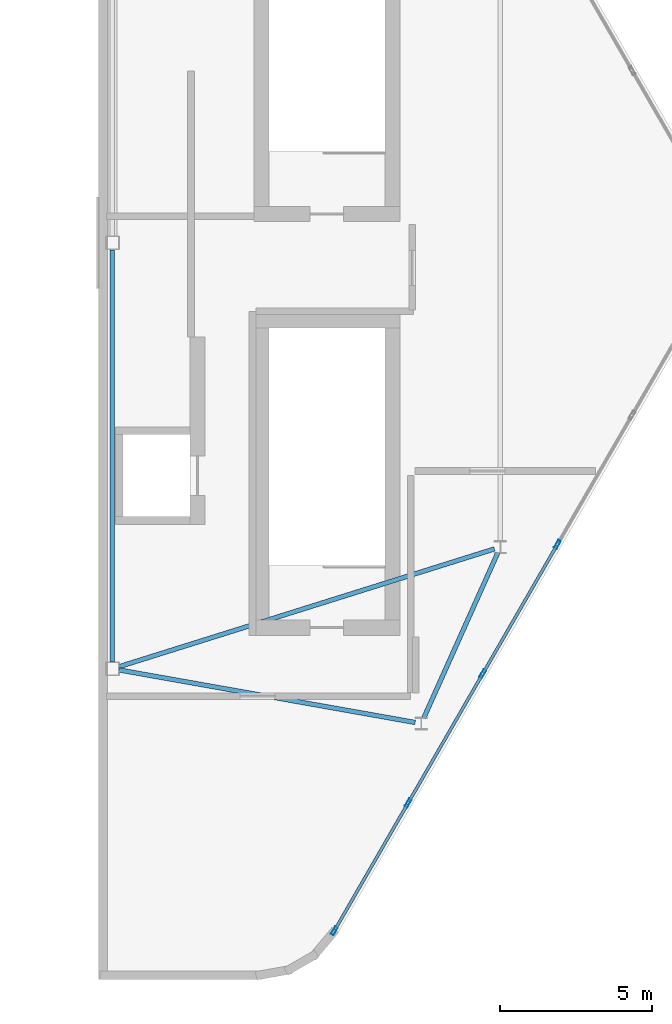
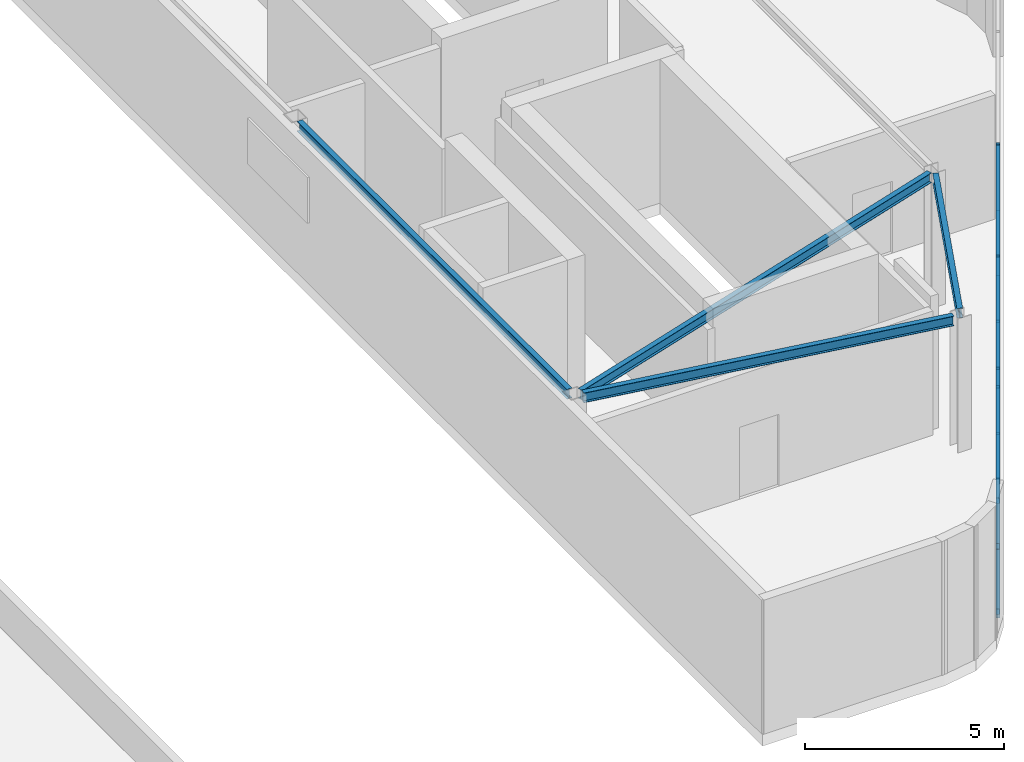
# One storey, part 2 of 8: 13 members, 4 beams, 1 element without a shape of its own.
"""IFC4 building model written with IfcOpenShell, lengths in metres."""

from ifc_helpers import new_model, si_unit, direction, frame, origin, origin_2d, place, context, subcontext, project, spatial, hollow_rectangle, i_section, extrude, material, material_profile, profile_set, type_object, element, aggregate, save


model = new_model("IFC4")

# Units and contexts
model_context = context("Model", 3, precision=1e-05, world=origin(), true_north=direction((0.0, 1.0)))
body_context = subcontext(model_context, "Body", "Model", "MODEL_VIEW")
ifc_project = project(units=[si_unit("LENGTHUNIT", "METRE"), si_unit("AREAUNIT", "SQUARE_METRE"), si_unit("VOLUMEUNIT", "CUBIC_METRE"), si_unit("PLANEANGLEUNIT", "RADIAN"), si_unit("MASSUNIT", "GRAM", prefix="KILO")], contexts=[model_context])

# Site, building, storey
site_placement = place(None, origin())
site = spatial("IfcSite", under=ifc_project, at=site_placement, CompositionType="ELEMENT")
building_placement = place(site_placement, origin())
building = spatial("IfcBuilding", under=site, at=building_placement, Name="Zuhravey Tower", CompositionType="ELEMENT")
storey_placement = place(building_placement, frame((0.0, 0.0, 383.39990234375)))
storey = spatial("IfcBuildingStorey", under=building, at=storey_placement, Name="L97", CompositionType="ELEMENT", Elevation=383.39990234375)

# Beams
ifc_material_1 = material(Name="Steel SM355", Category="steel")
ifc_material_profile_1 = material_profile(ifc_material_1, i_section(OverallWidth=0.14990234375, OverallDepth=0.300048828125, WebThickness=0.007080078125, FlangeThickness=0.010009765625, at=origin_2d()), Name="H-300x150x7x10")
ifc_profile_set_1 = profile_set([ifc_material_profile_1], Name="Steel SM355")
beam_type = type_object("IfcBeamType", Name="Crown Roof Purlin H300x150", PredefinedType="USERDEFINED", material=ifc_profile_set_1)
beam_1_placement = place(storey_placement, frame((56.116455078125, 21.81396484375, 3.9501953125), z_axis=(-0.409053547057, -0.912510381113, 0.0), x_axis=(0.912510381113, -0.409053547057, 0.0)))
element("IfcBeam", 1, at=beam_1_placement, inside=storey, type_object=beam_type, Name="L97 CRP1 BM-L97-ECR-0-2", ObjectType="PURLIN", PredefinedType="USERDEFINED", context=body_context, shape_type="SweptSolid", body=[
    extrude(i_section(OverallWidth=0.14990234375, OverallDepth=0.300048828125, WebThickness=0.007080078125, FlangeThickness=0.010009765625, at=origin_2d()), origin(), (0.0, 0.0, 1.0), 5.9482421875),
])
beam_2_placement = place(storey_placement, frame((53.399169921875, 16.235595703125, 3.9501953125), z_axis=(-0.984637117377, 0.174613135483, 0.0), x_axis=(-0.174613135483, -0.984637117377, 0.0)))
element("IfcBeam", 2, at=beam_2_placement, inside=storey, type_object=beam_type, Name="L97 CRP1 BM-L97-ECR-2-4", ObjectType="PURLIN", PredefinedType="USERDEFINED", context=body_context, shape_type="SweptSolid", body=[
    extrude(i_section(OverallWidth=0.14990234375, OverallDepth=0.300048828125, WebThickness=0.007080078125, FlangeThickness=0.010009765625, at=origin_2d()), origin(), (0.0, 0.0, 1.0), 9.875244140625),
])
beam_3_placement = place(storey_placement, frame((43.449951171875, 18.22900390625, 3.9501953125), z_axis=(0.0, 1.0, 0.0), x_axis=(-1.0, 0.0, 0.0)))
element("IfcBeam", 3, at=beam_3_placement, inside=storey, type_object=beam_type, Name="L97 CRP1 BM-L97-ECR-4-5", ObjectType="PURLIN", PredefinedType="USERDEFINED", context=body_context, shape_type="SweptSolid", body=[
    extrude(i_section(OverallWidth=0.14990234375, OverallDepth=0.300048828125, WebThickness=0.007080078125, FlangeThickness=0.010009765625, at=origin_2d()), origin(), (0.0, 0.0, 1.0), 13.5419921875),
])
beam_4_placement = place(storey_placement, frame((56.00537109375, 21.93896484375, 3.9501953125), z_axis=(-0.954147439285, -0.299337040984, 0.0), x_axis=(0.299337040984, -0.954147439285, 0.0)))
element("IfcBeam", 4, at=beam_4_placement, inside=storey, type_object=beam_type, Name="L97 CRP1 BM-L97-ECR-0-4", ObjectType="PURLIN", PredefinedType="USERDEFINED", context=body_context, shape_type="SweptSolid", body=[
    extrude(i_section(OverallWidth=0.14990234375, OverallDepth=0.300048828125, WebThickness=0.007080078125, FlangeThickness=0.010009765625, at=origin_2d()), origin(), (0.0, 0.0, 1.0), 12.9296875),
])

# Curtain wall, members
ifc_material_2 = material(Name="Thermally broken anodised aluminium", Category="aluminium")
curtain_wall_type = type_object("IfcCurtainWallType", Name="Split-Top Crown Screened Curtain Wall CW6", PredefinedType="NOTDEFINED", material=ifc_material_2)
curtain_wall_placement = place(storey_placement, origin())
curtain_wall = element("IfcCurtainWall", 5, at=curtain_wall_placement, inside=storey, type_object=curtain_wall_type, Name="L97 CW6 CW6-L97-EAST-08", PredefinedType="NOTDEFINED")
ifc_material_3 = material(Name="Anodised aluminium", Category="aluminium")
ifc_material_profile_2 = material_profile(ifc_material_3, hollow_rectangle(XDim=0.10009765625, YDim=0.2900390625, WallThickness=0.006103515625, at=origin_2d()), Name="ALU-RHS-100x290x6")
ifc_profile_set_2 = profile_set([ifc_material_profile_2], Name="Anodised aluminium")
member_type_1 = type_object("IfcMemberType", Name="Heavy Tall-Storey Mullion 100x220", PredefinedType="MULLION", material=ifc_profile_set_2)
member_1_placement = place(storey_placement, frame((58.0751953125, 22.087158203125, 0.0), z_axis=(0.0, 0.0, 1.0), x_axis=(0.866027063754, -0.499997124838, 0.0)))
member_1 = element("IfcMember", 6, at=member_1_placement, type_object=member_type_1, Name="CW6 mullion 3", PredefinedType="MULLION", context=body_context, shape_type="SweptSolid", body=[
    extrude(hollow_rectangle(XDim=0.10009765625, YDim=0.2900390625, WallThickness=0.006103515625, at=origin_2d()), origin(), (0.0, 0.0, 1.0), 4.10009765625),
])
member_2_placement = place(storey_placement, frame((55.622314453125, 17.838623046875, 0.0), z_axis=(0.0, 0.0, 1.0), x_axis=(0.866027063754, -0.499997124838, 0.0)))
member_2 = element("IfcMember", 7, at=member_2_placement, type_object=member_type_1, Name="CW6 mullion 4", PredefinedType="MULLION", context=body_context, shape_type="SweptSolid", body=[
    extrude(hollow_rectangle(XDim=0.10009765625, YDim=0.2900390625, WallThickness=0.006103515625, at=origin_2d()), origin(), (0.0, 0.0, 1.0), 4.10009765625),
])
member_3_placement = place(storey_placement, frame((53.16943359375, 13.590087890625, 0.0), z_axis=(0.0, 0.0, 1.0), x_axis=(0.866027063754, -0.499997124838, 0.0)))
member_3 = element("IfcMember", 8, at=member_3_placement, type_object=member_type_1, Name="CW6 mullion 5", PredefinedType="MULLION", context=body_context, shape_type="SweptSolid", body=[
    extrude(hollow_rectangle(XDim=0.10009765625, YDim=0.2900390625, WallThickness=0.006103515625, at=origin_2d()), origin(), (0.0, 0.0, 1.0), 4.10009765625),
])
member_4_placement = place(storey_placement, frame((50.741455078125, 9.384765625, 0.0), z_axis=(0.0, 0.0, 1.0), x_axis=(0.866027063754, -0.499997124838, 0.0)))
member_4 = element("IfcMember", 9, at=member_4_placement, type_object=member_type_1, Name="CW6 mullion 6", PredefinedType="MULLION", context=body_context, shape_type="SweptSolid", body=[
    extrude(hollow_rectangle(XDim=0.10009765625, YDim=0.2900390625, WallThickness=0.006103515625, at=origin_2d()), origin(), (0.0, 0.0, 1.0), 4.10009765625),
])
ifc_material_profile_3 = material_profile(ifc_material_3, hollow_rectangle(XDim=0.10009765625, YDim=0.179931640625, WallThickness=0.006103515625, at=origin_2d()), Name="ALU-RHS-100x180x6")
ifc_profile_set_3 = profile_set([ifc_material_profile_3], Name="Anodised aluminium")
member_type_2 = type_object("IfcMemberType", Name="Tall-Storey Transom 100x180", PredefinedType="USERDEFINED", material=ifc_profile_set_3)
member_5_placement = place(storey_placement, frame((58.05029296875, 22.0439453125, 0.050048828125), z_axis=(-0.50003466983, -0.866005386223, 0.0), x_axis=(0.866005386223, -0.50003466983, 0.0)))
member_5 = element("IfcMember", 10, at=member_5_placement, type_object=member_type_2, Name="CW6 transom 3.1", ObjectType="TRANSOM", PredefinedType="USERDEFINED", context=body_context, shape_type="SweptSolid", body=[
    extrude(hollow_rectangle(XDim=0.10009765625, YDim=0.179931640625, WallThickness=0.006103515625, at=origin_2d()), origin(), (0.0, 0.0, 1.0), 4.805908203125),
])
member_6_placement = place(storey_placement, frame((58.05029296875, 22.0439453125, 2.050048828125), z_axis=(-0.50003466983, -0.866005386223, 0.0), x_axis=(0.866005386223, -0.50003466983, 0.0)))
member_6 = element("IfcMember", 11, at=member_6_placement, type_object=member_type_2, Name="CW6 transom 3.2", ObjectType="TRANSOM", PredefinedType="USERDEFINED", context=body_context, shape_type="SweptSolid", body=[
    extrude(hollow_rectangle(XDim=0.10009765625, YDim=0.179931640625, WallThickness=0.006103515625, at=origin_2d()), origin(), (0.0, 0.0, 1.0), 4.805908203125),
])
member_7_placement = place(storey_placement, frame((58.05029296875, 22.0439453125, 4.050048828125), z_axis=(-0.50003466983, -0.866005386223, 0.0), x_axis=(0.866005386223, -0.50003466983, 0.0)))
member_7 = element("IfcMember", 12, at=member_7_placement, type_object=member_type_2, Name="CW6 transom 3.3", ObjectType="TRANSOM", PredefinedType="USERDEFINED", context=body_context, shape_type="SweptSolid", body=[
    extrude(hollow_rectangle(XDim=0.10009765625, YDim=0.179931640625, WallThickness=0.006103515625, at=origin_2d()), origin(), (0.0, 0.0, 1.0), 4.805908203125),
])
member_8_placement = place(storey_placement, frame((55.597412109375, 17.79541015625, 0.050048828125), z_axis=(-0.500012672123, -0.866018087407, 0.0), x_axis=(0.866018087407, -0.500012672123, 0.0)))
member_8 = element("IfcMember", 13, at=member_8_placement, type_object=member_type_2, Name="CW6 transom 4.1", ObjectType="TRANSOM", PredefinedType="USERDEFINED", context=body_context, shape_type="SweptSolid", body=[
    extrude(hollow_rectangle(XDim=0.10009765625, YDim=0.179931640625, WallThickness=0.006103515625, at=origin_2d()), origin(), (0.0, 0.0, 1.0), 4.80615234375),
])
member_9_placement = place(storey_placement, frame((55.597412109375, 17.79541015625, 2.050048828125), z_axis=(-0.500012672123, -0.866018087407, 0.0), x_axis=(0.866018087407, -0.500012672123, 0.0)))
member_9 = element("IfcMember", 14, at=member_9_placement, type_object=member_type_2, Name="CW6 transom 4.2", ObjectType="TRANSOM", PredefinedType="USERDEFINED", context=body_context, shape_type="SweptSolid", body=[
    extrude(hollow_rectangle(XDim=0.10009765625, YDim=0.179931640625, WallThickness=0.006103515625, at=origin_2d()), origin(), (0.0, 0.0, 1.0), 4.80615234375),
])
member_10_placement = place(storey_placement, frame((55.597412109375, 17.79541015625, 4.050048828125), z_axis=(-0.500012672123, -0.866018087407, 0.0), x_axis=(0.866018087407, -0.500012672123, 0.0)))
member_10 = element("IfcMember", 15, at=member_10_placement, type_object=member_type_2, Name="CW6 transom 4.3", ObjectType="TRANSOM", PredefinedType="USERDEFINED", context=body_context, shape_type="SweptSolid", body=[
    extrude(hollow_rectangle(XDim=0.10009765625, YDim=0.179931640625, WallThickness=0.006103515625, at=origin_2d()), origin(), (0.0, 0.0, 1.0), 4.80615234375),
])
member_11_placement = place(storey_placement, frame((53.144287109375, 13.546875, 0.050048828125), z_axis=(-0.499965384433, -0.866045388169, 0.0), x_axis=(0.866045388169, -0.499965384433, 0.0)))
member_11 = element("IfcMember", 16, at=member_11_placement, type_object=member_type_2, Name="CW6 transom 5.1", ObjectType="TRANSOM", PredefinedType="USERDEFINED", context=body_context, shape_type="SweptSolid", body=[
    extrude(hollow_rectangle(XDim=0.10009765625, YDim=0.179931640625, WallThickness=0.006103515625, at=origin_2d()), origin(), (0.0, 0.0, 1.0), 4.755615234375),
])
member_12_placement = place(storey_placement, frame((53.144287109375, 13.546875, 2.050048828125), z_axis=(-0.499965384433, -0.866045388169, 0.0), x_axis=(0.866045388169, -0.499965384433, 0.0)))
member_12 = element("IfcMember", 17, at=member_12_placement, type_object=member_type_2, Name="CW6 transom 5.2", ObjectType="TRANSOM", PredefinedType="USERDEFINED", context=body_context, shape_type="SweptSolid", body=[
    extrude(hollow_rectangle(XDim=0.10009765625, YDim=0.179931640625, WallThickness=0.006103515625, at=origin_2d()), origin(), (0.0, 0.0, 1.0), 4.755615234375),
])
member_13_placement = place(storey_placement, frame((53.144287109375, 13.546875, 4.050048828125), z_axis=(-0.499965384433, -0.866045388169, 0.0), x_axis=(0.866045388169, -0.499965384433, 0.0)))
member_13 = element("IfcMember", 18, at=member_13_placement, type_object=member_type_2, Name="CW6 transom 5.3", ObjectType="TRANSOM", PredefinedType="USERDEFINED", context=body_context, shape_type="SweptSolid", body=[
    extrude(hollow_rectangle(XDim=0.10009765625, YDim=0.179931640625, WallThickness=0.006103515625, at=origin_2d()), origin(), (0.0, 0.0, 1.0), 4.755615234375),
])
aggregate(curtain_wall, [member_1, member_2, member_3, member_4, member_5, member_6, member_7, member_8, member_9, member_10, member_11, member_12, member_13])

save(model, "model.ifc")
